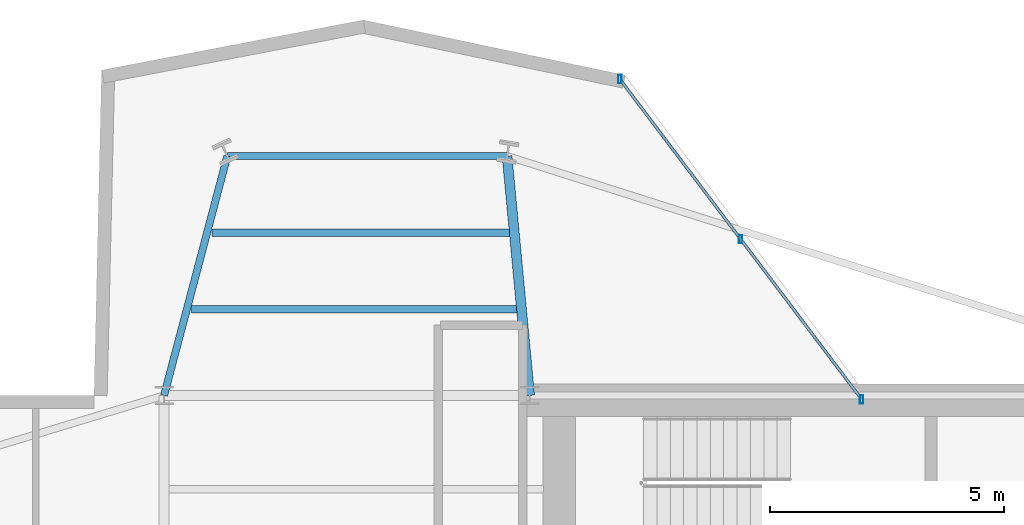
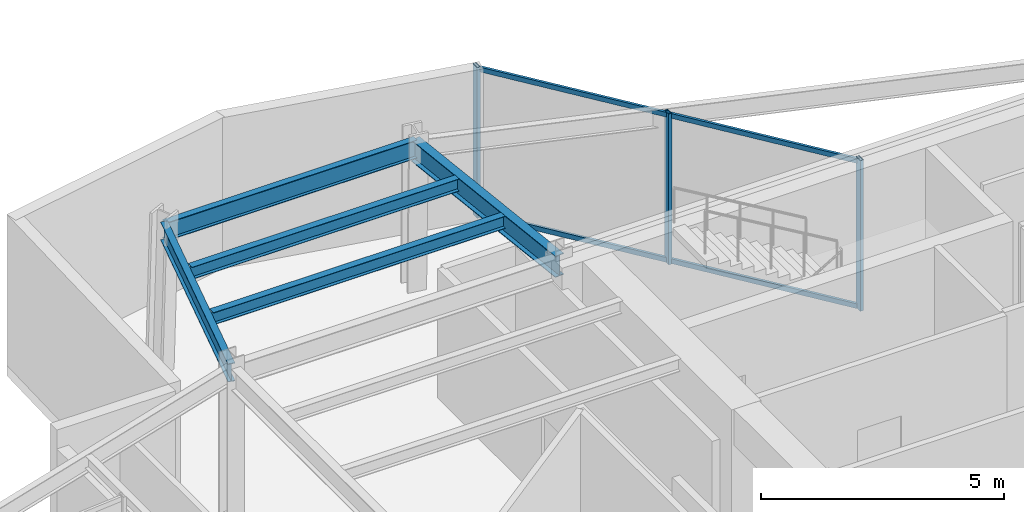
# One storey, part 9 of 21: 5 beams, 5 members, 1 element without a shape of its own.
"""IFC4 building model written with IfcOpenShell, lengths in metres."""

from ifc_helpers import new_model, si_unit, direction, frame, origin, origin_2d, place, context, subcontext, project, spatial, hollow_rectangle, i_section, extrude, material, layer, layer_set, material_profile, profile_set, type_object, element, aggregate, save


model = new_model("IFC4")

# Units and contexts
model_context = context("Model", 3, precision=1e-05, world=origin(), true_north=direction((0.0, 1.0)))
body_context = subcontext(model_context, "Body", "Model", "MODEL_VIEW")
ifc_project = project(units=[si_unit("LENGTHUNIT", "METRE"), si_unit("AREAUNIT", "SQUARE_METRE"), si_unit("VOLUMEUNIT", "CUBIC_METRE"), si_unit("PLANEANGLEUNIT", "RADIAN"), si_unit("MASSUNIT", "GRAM", prefix="KILO")], contexts=[model_context])

# Site, building, storey
site_placement = place(None, origin())
site = spatial("IfcSite", under=ifc_project, at=site_placement, CompositionType="ELEMENT")
building_placement = place(site_placement, origin())
building = spatial("IfcBuilding", under=site, at=building_placement, Name="Veymaron Broadcast Tower", CompositionType="ELEMENT")
storey_placement = place(building_placement, frame((0.0, 0.0, 240.449951171875)))
storey = spatial("IfcBuildingStorey", under=building, at=storey_placement, Name="L56", CompositionType="ELEMENT", Elevation=240.449951171875)

# Beams
ifc_material_1 = material(Name="Structural steel ASTM A992 Gr 50", Category="steel")
ifc_material_profile_1 = material_profile(ifc_material_1, i_section(OverallWidth=0.2099609375, OverallDepth=0.537109375, WebThickness=0.010986328125, FlangeThickness=0.017333984375, at=origin_2d()), Name="W530X101")
ifc_profile_set_1 = profile_set([ifc_material_profile_1], Name="Structural steel ASTM A992 Gr 50")
beam_type_1 = type_object("IfcBeamType", Name="BM-FG3", PredefinedType="BEAM", material=ifc_profile_set_1)
beam_1_placement = place(storey_placement, frame((39.0, 32.0, 3.521484375), z_axis=(-0.093933273565, 0.995578495206, 0.0), x_axis=(-0.995578495206, -0.093933273565, 0.0)))
element("IfcBeam", 1, at=beam_1_placement, inside=storey, type_object=beam_type_1, Name="L56 primary structural floor girder", PredefinedType="BEAM", context=body_context, shape_type="SweptSolid", body=[
    extrude(i_section(OverallWidth=0.2099609375, OverallDepth=0.537109375, WebThickness=0.010986328125, FlangeThickness=0.017333984375, at=origin_2d()), origin(), (0.0, 0.0, 1.0), 5.130615234375),
])
ifc_material_profile_2 = material_profile(ifc_material_1, i_section(OverallWidth=0.1650390625, OverallDepth=0.31005859375, WebThickness=0.005859375, FlangeThickness=0.009765625, at=origin_2d()), Name="W310X39")
ifc_profile_set_2 = profile_set([ifc_material_profile_2], Name="Structural steel ASTM A992 Gr 50")
beam_type_2 = type_object("IfcBeamType", Name="BM-JS3", PredefinedType="JOIST", material=ifc_profile_set_2)
beam_2_placement = place(storey_placement, frame((31.785888671875, 33.8388671875, 3.635009765625), z_axis=(1.0, 0.0, 0.0), x_axis=(0.0, 1.0, 0.0)))
element("IfcBeam", 2, at=beam_2_placement, inside=storey, type_object=beam_type_2, Name="L56 Arm-B secondary joist 1", PredefinedType="JOIST", context=body_context, shape_type="SweptSolid", body=[
    extrude(i_section(OverallWidth=0.1650390625, OverallDepth=0.31005859375, WebThickness=0.005859375, FlangeThickness=0.009765625, at=origin_2d()), origin(), (0.0, 0.0, 1.0), 6.940673828125),
])
beam_3_placement = place(storey_placement, frame((32.2177734375, 35.473388671875, 3.635009765625), z_axis=(1.0, 0.0, 0.0), x_axis=(0.0, 1.0, 0.0)))
element("IfcBeam", 3, at=beam_3_placement, inside=storey, type_object=beam_type_2, Name="L56 Arm-B secondary joist 2", PredefinedType="JOIST", context=body_context, shape_type="SweptSolid", body=[
    extrude(i_section(OverallWidth=0.1650390625, OverallDepth=0.31005859375, WebThickness=0.005859375, FlangeThickness=0.009765625, at=origin_2d()), origin(), (0.0, 0.0, 1.0), 6.3544921875),
])
ifc_material_profile_3 = material_profile(ifc_material_1, i_section(OverallWidth=0.154052734375, OverallDepth=0.458984375, WebThickness=0.009033203125, FlangeThickness=0.015380859375, at=origin_2d()), Name="W460X68")
ifc_profile_set_3 = profile_set([ifc_material_profile_3], Name="Structural steel ASTM A992 Gr 50")
beam_type_3 = type_object("IfcBeamType", Name="BM-SP2", PredefinedType="SPANDREL", material=ifc_profile_set_3)
beam_4_placement = place(storey_placement, frame((31.199951171875, 32.0, 3.560546875), z_axis=(0.255453064719, 0.96682145804, 0.0), x_axis=(-0.96682145804, 0.255453064719, 0.0)))
element("IfcBeam", 4, at=beam_4_placement, inside=storey, type_object=beam_type_3, Name="L56 primary structural floor girder", PredefinedType="SPANDREL", context=body_context, shape_type="SweptSolid", body=[
    extrude(i_section(OverallWidth=0.154052734375, OverallDepth=0.458984375, WebThickness=0.009033203125, FlangeThickness=0.015380859375, at=origin_2d()), origin(), (0.0, 0.0, 1.0), 5.283203125),
])
beam_5_placement = place(storey_placement, frame((32.549560546875, 37.10791015625, 3.560546875), z_axis=(1.0, 0.0, 0.0), x_axis=(0.0, 1.0, 0.0)))
element("IfcBeam", 5, at=beam_5_placement, inside=storey, type_object=beam_type_3, Name="L56 primary structural floor girder", PredefinedType="SPANDREL", context=body_context, shape_type="SweptSolid", body=[
    extrude(i_section(OverallWidth=0.154052734375, OverallDepth=0.458984375, WebThickness=0.009033203125, FlangeThickness=0.015380859375, at=origin_2d()), origin(), (0.0, 0.0, 1.0), 5.968505859375),
])

# Curtain wall, members
ifc_material_2 = material(Name="Anodised aluminium AA 6063-T6 and laminated low-E dark glass", Category="aluminium")
ifc_layer = layer(ifc_material_2, 0.179931640625)
ifc_layer_set = layer_set([ifc_layer], Name="Anodised aluminium AA 6063-T6 and laminated low-E dark glass")
curtain_wall_type = type_object("IfcCurtainWallType", Name="CW-SYS-05", PredefinedType="NOTDEFINED", material=ifc_layer_set)
curtain_wall_placement = place(storey_placement, origin())
curtain_wall = element("IfcCurtainWall", 6, at=curtain_wall_placement, inside=storey, type_object=curtain_wall_type, Name="L56 dark-glass curtain wall CW-L56-E7-1", PredefinedType="NOTDEFINED")
ifc_material_3 = material(Name="Anodised aluminium AA 6063-T6", Category="aluminium")
ifc_material_profile_4 = material_profile(ifc_material_3, hollow_rectangle(XDim=0.074951171875, YDim=0.179931640625, WallThickness=0.0048828125, at=origin_2d()), Name="AL180X75X5")
ifc_profile_set_4 = profile_set([ifc_material_profile_4], Name="Anodised aluminium AA 6063-T6")
member_type_1 = type_object("IfcMemberType", Name="CW-MUL-02", PredefinedType="MULLION", material=ifc_profile_set_4)
member_1_placement = place(storey_placement, frame((46.083984375, 31.91552734375, 0.0), z_axis=(0.0, 0.0, 1.0), x_axis=(1.0, 0.0, 0.0)))
member_1 = element("IfcMember", 7, at=member_1_placement, type_object=member_type_1, Name="CW-L56-E7-1 mullion 0", PredefinedType="MULLION", context=body_context, shape_type="SweptSolid", body=[
    extrude(hollow_rectangle(XDim=0.074951171875, YDim=0.179931640625, WallThickness=0.0048828125, at=origin_2d()), origin(), (0.0, 0.0, 1.0), 3.7900390625),
])
member_2_placement = place(storey_placement, frame((43.503662109375, 35.33251953125, 0.0), z_axis=(0.0, 0.0, 1.0), x_axis=(1.0, 0.0, 0.0)))
member_2 = element("IfcMember", 8, at=member_2_placement, type_object=member_type_1, Name="CW-L56-E7-1 mullion 1", PredefinedType="MULLION", context=body_context, shape_type="SweptSolid", body=[
    extrude(hollow_rectangle(XDim=0.074951171875, YDim=0.179931640625, WallThickness=0.0048828125, at=origin_2d()), origin(), (0.0, 0.0, 1.0), 3.7900390625),
])
member_3_placement = place(storey_placement, frame((40.923095703125, 38.74951171875, 0.0), z_axis=(0.0, 0.0, 1.0), x_axis=(1.0, 0.0, 0.0)))
member_3 = element("IfcMember", 9, at=member_3_placement, type_object=member_type_1, Name="CW-L56-E7-1 mullion 2", PredefinedType="MULLION", context=body_context, shape_type="SweptSolid", body=[
    extrude(hollow_rectangle(XDim=0.074951171875, YDim=0.179931640625, WallThickness=0.0048828125, at=origin_2d()), origin(), (0.0, 0.0, 1.0), 3.7900390625),
])
ifc_material_profile_5 = material_profile(ifc_material_3, hollow_rectangle(XDim=0.06005859375, YDim=0.1201171875, WallThickness=0.00390625, at=origin_2d()), Name="AL120X60X4")
ifc_profile_set_5 = profile_set([ifc_material_profile_5], Name="Anodised aluminium AA 6063-T6")
member_type_2 = type_object("IfcMemberType", Name="CW-TRN-02", PredefinedType="USERDEFINED", material=ifc_profile_set_5)
member_4_placement = place(storey_placement, frame((46.053955078125, 31.95556640625, 0.070068359375), z_axis=(-0.60265965099, 0.797998336507, 0.0), x_axis=(-0.797998336507, -0.60265965099, 0.0)))
member_4 = element("IfcMember", 10, at=member_4_placement, type_object=member_type_2, Name="CW-L56-E7-1 transom B", ObjectType="TRANSOM", PredefinedType="USERDEFINED", context=body_context, shape_type="SweptSolid", body=[
    extrude(hollow_rectangle(XDim=0.06005859375, YDim=0.1201171875, WallThickness=0.00390625, at=origin_2d()), origin(), (0.0, 0.0, 1.0), 8.4638671875),
])
member_5_placement = place(storey_placement, frame((46.053955078125, 31.95556640625, 3.719970703125), z_axis=(-0.60265965099, 0.797998336507, 0.0), x_axis=(-0.797998336507, -0.60265965099, 0.0)))
member_5 = element("IfcMember", 11, at=member_5_placement, type_object=member_type_2, Name="CW-L56-E7-1 transom T", ObjectType="TRANSOM", PredefinedType="USERDEFINED", context=body_context, shape_type="SweptSolid", body=[
    extrude(hollow_rectangle(XDim=0.06005859375, YDim=0.1201171875, WallThickness=0.00390625, at=origin_2d()), origin(), (0.0, 0.0, 1.0), 8.4638671875),
])
aggregate(curtain_wall, [member_1, member_2, member_3, member_4, member_5])

save(model, "model.ifc")
